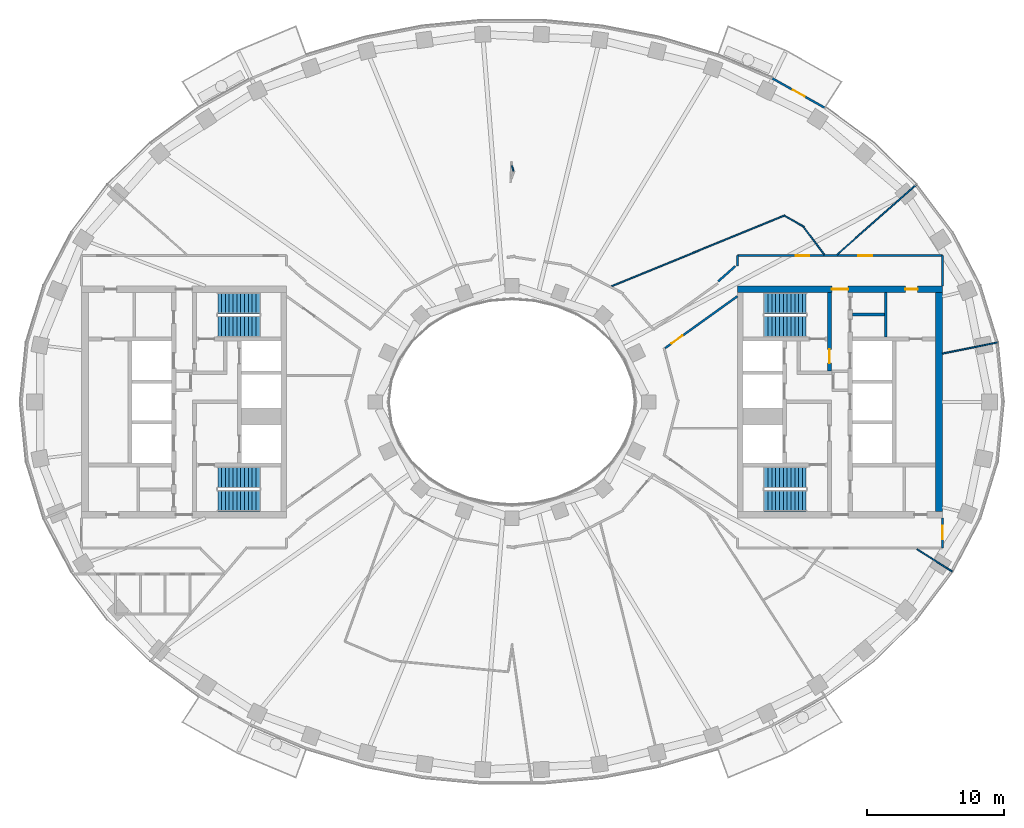
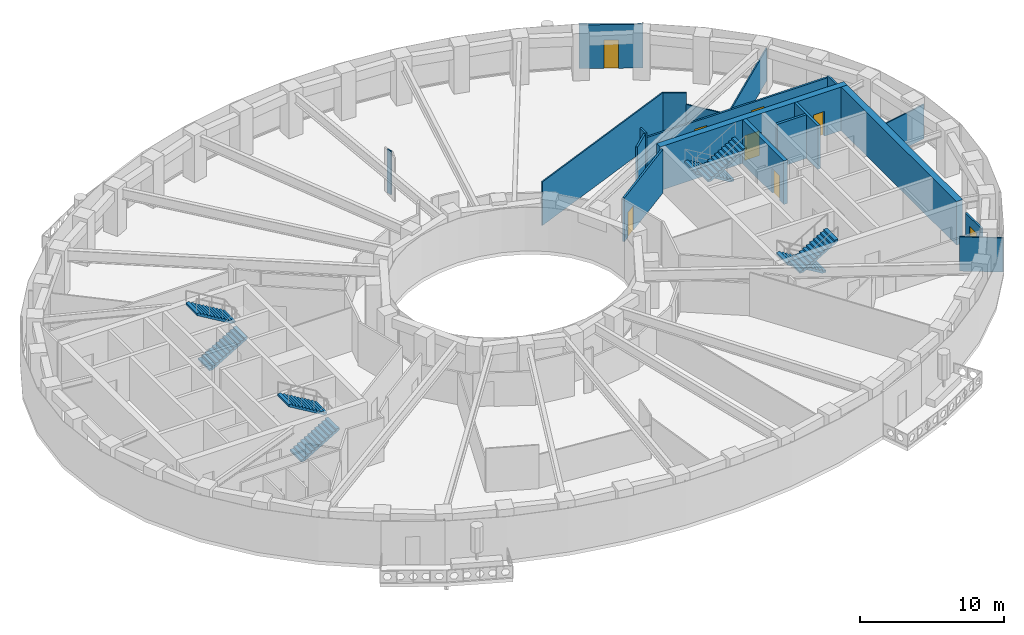
# One storey, part 7 of 15: 19 walls, 8 doors, 8 stair flights, 8 openings, 4 elements without a shape of their own.
"""IFC4 building model written with IfcOpenShell, lengths in metres."""

from ifc_helpers import new_model, si_unit, direction, frame, frame_2d, origin, place, context, subcontext, project, spatial, polyline, rectangle, outline, extrude, material, layer, layer_set, type_object, element, fill, aggregate, save


model = new_model("IFC4")

# Units and contexts
model_context = context("Model", 3, precision=1e-05, world=origin(), true_north=direction((0.0, 1.0)))
body_context = subcontext(model_context, "Body", "Model", "MODEL_VIEW")
ifc_project = project(units=[si_unit("LENGTHUNIT", "METRE"), si_unit("AREAUNIT", "SQUARE_METRE"), si_unit("VOLUMEUNIT", "CUBIC_METRE"), si_unit("PLANEANGLEUNIT", "RADIAN"), si_unit("MASSUNIT", "GRAM", prefix="KILO")], contexts=[model_context])

# Site, building, storey
site_placement = place(None, origin())
site = spatial("IfcSite", under=ifc_project, at=site_placement, CompositionType="ELEMENT")
building_placement = place(site_placement, origin())
building = spatial("IfcBuilding", under=site, at=building_placement, Name="Noorbagh Ring Tower", CompositionType="ELEMENT")
storey_placement = place(building_placement, frame((0.0, 0.0, 182.0)))
storey = spatial("IfcBuildingStorey", under=building, at=storey_placement, Name="L42", CompositionType="ELEMENT", Elevation=182.0)

# Walls
ifc_material_1 = material(Name="Gypsum board on steel studs", Category="steel")
ifc_layer_1 = layer(ifc_material_1, 0.199951171875)
ifc_layer_set_1 = layer_set([ifc_layer_1], Name="Gypsum board on steel studs")
wall_type_1 = type_object("IfcWallType", Name="CORE-PARTITION-200", PredefinedType="PARTITIONING", material=ifc_layer_set_1)
wall_1_placement = place(storey_placement, frame((27.35009765625, 4.75, 0.0), z_axis=(0.0, 0.0, 1.0), x_axis=(0.0, 1.0, 0.0)))
element("IfcWall", 1, at=wall_1_placement, inside=storey, type_object=wall_type_1, Name="Core partition E", PredefinedType="PARTITIONING", context=body_context, shape_type="SweptSolid", body=[
    extrude(rectangle(XDim=3.25, YDim=0.199951171875, at=frame_2d((1.625, 0.0))), origin(), (0.0, 0.0, 1.0), 3.699951171875),
])
wall_2_placement = place(storey_placement, frame((24.89990234375, 6.39990234375, 0.0), z_axis=(0.0, 0.0, 1.0), x_axis=(1.0, 0.0, 0.0)))
element("IfcWall", 2, at=wall_2_placement, inside=storey, type_object=wall_type_1, Name="Core partition E", PredefinedType="PARTITIONING", context=body_context, shape_type="SweptSolid", body=[
    extrude(rectangle(XDim=2.35009765625, YDim=0.199951171875, at=frame_2d((1.175048828125, 0.0))), origin(), (0.0, 0.0, 1.0), 3.699951171875),
])

# Wall, opening, door
ifc_material_2 = material(Name="Concrete C60/75", Category="concrete")
ifc_layer_2 = layer(ifc_material_2, 0.300048828125)
ifc_layer_set_2 = layer_set([ifc_layer_2], Name="Concrete C60/75")
wall_type_2 = type_object("IfcWallType", Name="CORE-WALL-300-C60-75-EI240", PredefinedType="SHEAR", material=ifc_layer_set_2)
wall_3_placement = place(storey_placement, frame((23.22998046875, 2.25, 0.0), z_axis=(0.0, 0.0, 1.0), x_axis=(0.0, 1.0, 0.0)))
wall_3 = element("IfcWall", 3, at=wall_3_placement, inside=storey, type_object=wall_type_2, Name="Core wall E", PredefinedType="SHEAR", context=body_context, shape_type="SweptSolid", body=[
    extrude(rectangle(XDim=5.75, YDim=0.300048828125, at=frame_2d((2.875, 0.0))), origin(), (0.0, 0.0, 1.0), 3.699951171875),
])
opening_1_placement = place(wall_3_placement, frame((0.60009765625, 0.0, 0.0)))
opening_1 = element("IfcOpeningElement", 4, at=opening_1_placement, cuts=wall_3, Name="Opening L42-CE10", PredefinedType="OPENING", context=body_context, shape_type="SweptSolid", body=[
    extrude(rectangle(XDim=1.0, YDim=2.10009765625, at=frame_2d((0.5, 1.050048828125))), frame((0.0, 0.16015625, 0.0), z_axis=(0.0, -1.0, 0.0), x_axis=(1.0, 0.0, 0.0)), (0.0, 0.0, 1.0), 0.320068359375),
])
ifc_material_3 = material(Name="Steel door leaf", Category="steel")
door_type_1 = type_object("IfcDoorType", Name="CORE-DOOR-DVEST", OperationType="SINGLE_SWING_LEFT", PredefinedType="DOOR", material=ifc_material_3)
door_1_placement = place(opening_1_placement, origin())
door_1 = element("IfcDoor", 5, at=door_1_placement, inside=storey, type_object=door_type_1, Name="Stair vestibule door L42-CE10", OperationType="SINGLE_SWING_RIGHT", OverallHeight=2.10009765625, OverallWidth=1.0, PredefinedType="DOOR", context=body_context, shape_type="SweptSolid", body=[
    extrude(rectangle(XDim=1.0, YDim=2.10009765625, at=frame_2d((0.5, 1.050048828125))), frame((0.0, 0.02490234375, 0.0), z_axis=(0.0, -1.0, 0.0), x_axis=(1.0, 0.0, 0.0)), (0.0, 0.0, 1.0), 0.050048828125),
])
fill(opening_1, door_1)

# Wall, openings, doors
ifc_material_4 = material(Name="Concrete C60/75", Category="concrete")
ifc_layer_3 = layer(ifc_material_4, 0.5)
ifc_layer_set_3 = layer_set([ifc_layer_3], Name="Concrete C60/75")
wall_type_3 = type_object("IfcWallType", Name="CORE-WALL-500-C60-75-EI240", PredefinedType="SHEAR", material=ifc_layer_set_3)
wall_4_placement = place(storey_placement, frame((16.5, 8.25, 0.0), z_axis=(0.0, 0.0, 1.0), x_axis=(1.0, 0.0, 0.0)))
wall_4 = element("IfcWall", 6, at=wall_4_placement, inside=storey, type_object=wall_type_3, Name="Core wall E", PredefinedType="SHEAR", context=body_context, shape_type="SweptSolid", body=[
    extrude(rectangle(XDim=15.0, YDim=0.5, at=frame_2d((7.5, 0.0))), origin(), (0.0, 0.0, 1.0), 3.699951171875),
])
opening_2_placement = place(wall_4_placement, frame((6.89990234375, 0.0, 0.0)))
opening_2 = element("IfcOpeningElement", 7, at=opening_2_placement, cuts=wall_4, Name="Opening L42-CE11", PredefinedType="OPENING", context=body_context, shape_type="SweptSolid", body=[
    extrude(rectangle(XDim=1.199951171875, YDim=2.10009765625, at=frame_2d((0.60009765625, 1.050048828125))), frame((0.0, 0.260009765625, 0.0), z_axis=(0.0, -1.0, 0.0), x_axis=(1.0, 0.0, 0.0)), (0.0, 0.0, 1.0), 0.52001953125),
])
opening_3_placement = place(wall_4_placement, frame((12.27490234375, 0.0, 0.0)))
opening_3 = element("IfcOpeningElement", 8, at=opening_3_placement, cuts=wall_4, Name="Opening L42-CE15", PredefinedType="OPENING", context=body_context, shape_type="SweptSolid", body=[
    extrude(rectangle(XDim=0.89990234375, YDim=2.10009765625, at=frame_2d((0.449951171875, 1.050048828125))), frame((0.0, 0.260009765625, 0.0), z_axis=(0.0, -1.0, 0.0), x_axis=(1.0, 0.0, 0.0)), (0.0, 0.0, 1.0), 0.52001953125),
])
ifc_material_5 = material(Name="Steel door leaf", Category="steel")
door_type_2 = type_object("IfcDoorType", Name="CORE-DOOR-DROOM", OperationType="SINGLE_SWING_LEFT", PredefinedType="DOOR", material=ifc_material_5)
door_2_placement = place(opening_3_placement, origin())
door_2 = element("IfcDoor", 9, at=door_2_placement, inside=storey, type_object=door_type_2, Name="Core room door L42-CE15", OperationType="SINGLE_SWING_LEFT", OverallHeight=2.10009765625, OverallWidth=0.89990234375, PredefinedType="DOOR", context=body_context, shape_type="SweptSolid", body=[
    extrude(rectangle(XDim=0.89990234375, YDim=2.10009765625, at=frame_2d((0.449951171875, 1.050048828125))), frame((0.0, 0.02490234375, 0.0), z_axis=(0.0, -1.0, 0.0), x_axis=(1.0, 0.0, 0.0)), (0.0, 0.0, 1.0), 0.050048828125),
])
fill(opening_3, door_2)
ifc_material_6 = material(Name="Steel door leaf", Category="steel")
door_type_3 = type_object("IfcDoorType", Name="CORE-DOOR-PORT", OperationType="DOUBLE_DOOR_DOUBLE_SWING", PredefinedType="DOOR", material=ifc_material_6)
door_3_placement = place(opening_2_placement, origin())
door_3 = element("IfcDoor", 10, at=door_3_placement, inside=storey, type_object=door_type_3, Name="Core entrance door L42-CE11", OperationType="DOUBLE_DOOR_DOUBLE_SWING", OverallHeight=2.10009765625, OverallWidth=1.199951171875, PredefinedType="DOOR", context=body_context, shape_type="SweptSolid", body=[
    extrude(rectangle(XDim=1.199951171875, YDim=2.10009765625, at=frame_2d((0.60009765625, 1.050048828125))), frame((0.0, 0.02490234375, 0.0), z_axis=(0.0, -1.0, 0.0), x_axis=(1.0, 0.0, 0.0)), (0.0, 0.0, 1.0), 0.050048828125),
])
fill(opening_2, door_3)

# Wall
wall_5_placement = place(storey_placement, frame((31.25, -8.0, 0.0), z_axis=(0.0, 0.0, 1.0), x_axis=(0.0, 1.0, 0.0)))
element("IfcWall", 11, at=wall_5_placement, inside=storey, type_object=wall_type_3, Name="Core wall E", PredefinedType="SHEAR", context=body_context, shape_type="SweptSolid", body=[
    extrude(rectangle(XDim=16.0, YDim=0.5, at=frame_2d((8.0, 0.0))), origin(), (0.0, 0.0, 1.0), 3.699951171875),
])

# Wall, opening, door
ifc_material_7 = material(Name="Gypsum board on steel studs", Category="steel")
ifc_layer_4 = layer(ifc_material_7, 0.14990234375)
ifc_layer_set_4 = layer_set([ifc_layer_4], Name="Gypsum board on steel studs")
wall_type_4 = type_object("IfcWallType", Name="CORRIDOR PARTITION 150 EI 30", PredefinedType="PARTITIONING", material=ifc_layer_set_4)
wall_6_placement = place(storey_placement, frame((11.202880859375, 3.93798828125, 0.0), z_axis=(0.0, 0.0, 1.0), x_axis=(0.812471543061, 0.583000850528, 0.0)))
wall_6 = element("IfcWall", 12, at=wall_6_placement, inside=storey, type_object=wall_type_4, Name="L42/wall/P60", PredefinedType="PARTITIONING", context=body_context, shape_type="SweptSolid", body=[
    extrude(rectangle(XDim=6.519775390625, YDim=0.14990234375, at=frame_2d((3.259765625, 0.0))), origin(), (0.0, 0.0, 1.0), 3.699951171875),
])
opening_4_placement = place(wall_6_placement, frame((0.56982421875, 0.0, 0.0)))
opening_4 = element("IfcOpeningElement", 13, at=opening_4_placement, cuts=wall_6, Name="Opening D1", PredefinedType="OPENING", context=body_context, shape_type="SweptSolid", body=[
    extrude(rectangle(XDim=1.0, YDim=2.10009765625, at=frame_2d((0.5, 1.050048828125))), frame((0.0, 0.0849609375, 0.0), z_axis=(0.0, -1.0, 0.0), x_axis=(1.0, 0.0, 0.0)), (0.0, 0.0, 1.0), 0.169921875),
])
ifc_material_8 = material(Name="Timber, painted", Category="wood")
door_type_4 = type_object("IfcDoorType", Name="DOOR 1000 X 2100 FD30", OperationType="SINGLE_SWING_LEFT", PredefinedType="DOOR", material=ifc_material_8)
door_4_placement = place(opening_4_placement, origin())
door_4 = element("IfcDoor", 14, at=door_4_placement, inside=storey, type_object=door_type_4, Name="L42-D19", OperationType="SINGLE_SWING_LEFT", OverallHeight=2.10009765625, OverallWidth=1.0, PredefinedType="DOOR", context=body_context, shape_type="SweptSolid", body=[
    extrude(rectangle(XDim=1.0, YDim=2.10009765625, at=frame_2d((0.5, 1.050048828125))), frame((0.0, 0.02490234375, 0.0), z_axis=(0.0, -1.0, 0.0), x_axis=(1.0, 0.0, 0.0)), (0.0, 0.0, 1.0), 0.050048828125),
])
fill(opening_4, door_4)

# Wall
wall_7_placement = place(storey_placement, frame((16.5, 9.964111328125, 0.0), z_axis=(0.0, 0.0, 1.0), x_axis=(0.0, 1.0, 0.0)))
element("IfcWall", 15, at=wall_7_placement, inside=storey, type_object=wall_type_4, Name="L42/wall/P65", PredefinedType="PARTITIONING", context=body_context, shape_type="SweptSolid", body=[
    extrude(rectangle(XDim=0.73583984375, YDim=0.14990234375, at=frame_2d((0.367919921875, 0.0))), origin(), (0.0, 0.0, 1.0), 3.699951171875),
])

# Wall, openings, doors
wall_8_placement = place(storey_placement, frame((16.5, 10.699951171875, 0.0), z_axis=(0.0, 0.0, 1.0), x_axis=(1.0, 0.0, 0.0)))
wall_8 = element("IfcWall", 16, at=wall_8_placement, inside=storey, type_object=wall_type_4, Name="L42/wall/P66", PredefinedType="PARTITIONING", context=body_context, shape_type="SweptSolid", body=[
    extrude(rectangle(XDim=15.0, YDim=0.14990234375, at=frame_2d((7.5, 0.0))), origin(), (0.0, 0.0, 1.0), 2.75),
])
opening_5_placement = place(wall_8_placement, frame((4.26708984375, 0.0, 0.0)))
opening_5 = element("IfcOpeningElement", 17, at=opening_5_placement, cuts=wall_8, Name="Opening D1", PredefinedType="OPENING", context=body_context, shape_type="SweptSolid", body=[
    extrude(rectangle(XDim=1.0, YDim=2.10009765625, at=frame_2d((0.5, 1.050048828125))), frame((0.0, 0.0849609375, 0.0), z_axis=(0.0, -1.0, 0.0), x_axis=(1.0, 0.0, 0.0)), (0.0, 0.0, 1.0), 0.169921875),
])
opening_6_placement = place(wall_8_placement, frame((8.85009765625, 0.0, 0.0)))
opening_6 = element("IfcOpeningElement", 18, at=opening_6_placement, cuts=wall_8, Name="Opening D1", PredefinedType="OPENING", context=body_context, shape_type="SweptSolid", body=[
    extrude(rectangle(XDim=1.0, YDim=2.10009765625, at=frame_2d((0.5, 1.050048828125))), frame((0.0, 0.0849609375, 0.0), z_axis=(0.0, -1.0, 0.0), x_axis=(1.0, 0.0, 0.0)), (0.0, 0.0, 1.0), 0.169921875),
])
door_5_placement = place(opening_5_placement, origin())
door_5 = element("IfcDoor", 19, at=door_5_placement, inside=storey, type_object=door_type_4, Name="L42-D11", OperationType="SINGLE_SWING_LEFT", OverallHeight=2.10009765625, OverallWidth=1.0, PredefinedType="DOOR", context=body_context, shape_type="SweptSolid", body=[
    extrude(rectangle(XDim=1.0, YDim=2.10009765625, at=frame_2d((0.5, 1.050048828125))), frame((0.0, 0.02490234375, 0.0), z_axis=(0.0, -1.0, 0.0), x_axis=(1.0, 0.0, 0.0)), (0.0, 0.0, 1.0), 0.050048828125),
])
fill(opening_5, door_5)
door_6_placement = place(opening_6_placement, origin())
door_6 = element("IfcDoor", 20, at=door_6_placement, inside=storey, type_object=door_type_4, Name="L42-D14", OperationType="SINGLE_SWING_RIGHT", OverallHeight=2.10009765625, OverallWidth=1.0, PredefinedType="DOOR", context=body_context, shape_type="SweptSolid", body=[
    extrude(rectangle(XDim=1.0, YDim=2.10009765625, at=frame_2d((0.5, 1.050048828125))), frame((0.0, 0.02490234375, 0.0), z_axis=(0.0, -1.0, 0.0), x_axis=(1.0, 0.0, 0.0)), (0.0, 0.0, 1.0), 0.050048828125),
])
fill(opening_6, door_6)

# Wall, opening, door
wall_9_placement = place(storey_placement, frame((31.5, -10.699951171875, 0.0), z_axis=(0.0, 0.0, 1.0), x_axis=(0.0, 1.0, 0.0)))
wall_9 = element("IfcWall", 21, at=wall_9_placement, inside=storey, type_object=wall_type_4, Name="L42/wall/P73", PredefinedType="PARTITIONING", context=body_context, shape_type="SweptSolid", body=[
    extrude(rectangle(XDim=2.199951171875, YDim=0.14990234375, at=frame_2d((1.10009765625, 0.0))), origin(), (0.0, 0.0, 1.0), 2.89990234375),
])
opening_7_placement = place(wall_9_placement, frame((0.64990234375, 0.0, 0.0)))
opening_7 = element("IfcOpeningElement", 22, at=opening_7_placement, cuts=wall_9, Name="Opening D1", PredefinedType="OPENING", context=body_context, shape_type="SweptSolid", body=[
    extrude(rectangle(XDim=1.0, YDim=2.10009765625, at=frame_2d((0.5, 1.050048828125))), frame((0.0, 0.0849609375, 0.0), z_axis=(0.0, -1.0, 0.0), x_axis=(1.0, 0.0, 0.0)), (0.0, 0.0, 1.0), 0.169921875),
])
door_7_placement = place(opening_7_placement, origin())
door_7 = element("IfcDoor", 23, at=door_7_placement, inside=storey, type_object=door_type_4, Name="L42-D15", OperationType="SINGLE_SWING_LEFT", OverallHeight=2.10009765625, OverallWidth=1.0, PredefinedType="DOOR", context=body_context, shape_type="SweptSolid", body=[
    extrude(rectangle(XDim=1.0, YDim=2.10009765625, at=frame_2d((0.5, 1.050048828125))), frame((0.0, 0.02490234375, 0.0), z_axis=(0.0, -1.0, 0.0), x_axis=(1.0, 0.0, 0.0)), (0.0, 0.0, 1.0), 0.050048828125),
])
fill(opening_7, door_7)

# Walls
wall_10_placement = place(storey_placement, frame((31.5, 8.5, 0.0), z_axis=(0.0, 0.0, 1.0), x_axis=(0.0, 1.0, 0.0)))
element("IfcWall", 24, at=wall_10_placement, inside=storey, type_object=wall_type_4, Name="L42/wall/P75", PredefinedType="PARTITIONING", context=body_context, shape_type="SweptSolid", body=[
    extrude(rectangle(XDim=2.199951171875, YDim=0.14990234375, at=frame_2d((1.10009765625, 0.0))), origin(), (0.0, 0.0, 1.0), 2.89990234375),
])
wall_11_placement = place(storey_placement, frame((15.087890625, 8.823974609375, 0.0), z_axis=(0.0, 0.0, 1.0), x_axis=(0.749107006374, 0.662449011624, 0.0)))
element("IfcWall", 25, at=wall_11_placement, inside=storey, type_object=wall_type_4, Name="L42/wall/P79", PredefinedType="PARTITIONING", context=body_context, shape_type="SweptSolid", body=[
    extrude(rectangle(XDim=1.6875, YDim=0.14990234375, at=frame_2d((0.84375, 0.0))), origin(), (0.0, 0.0, 1.0), 3.699951171875),
])

# Wall, opening, door
ifc_material_9 = material(Name="Insulated aluminium clad panel", Category="aluminium")
ifc_layer_5 = layer(ifc_material_9, 0.14990234375)
ifc_layer_set_5 = layer_set([ifc_layer_5], Name="Insulated aluminium clad panel")
wall_type_5 = type_object("IfcWallType", Name="ENV-WALL-DOOR", PredefinedType="STANDARD", material=ifc_layer_set_5)
wall_12_placement = place(storey_placement, frame((22.913330078125, 21.508544921875, 0.0), z_axis=(0.0, 0.0, 1.0), x_axis=(-0.872046572975, 0.489422899509, 0.0)))
wall_12 = element("IfcWall", 26, at=wall_12_placement, inside=storey, type_object=wall_type_5, Name="Balcony door wall chord 07", PredefinedType="STANDARD", context=body_context, shape_type="SweptSolid", body=[
    extrude(rectangle(XDim=4.425537109375, YDim=0.14990234375, at=frame_2d((2.212890625, 0.0))), origin(), (0.0, 0.0, 1.0), 3.699951171875),
])
opening_8_placement = place(wall_12_placement, frame((1.712646484375, 0.0, 0.0)))
opening_8 = element("IfcOpeningElement", 27, at=opening_8_placement, cuts=wall_12, Name="Opening D-BL", PredefinedType="OPENING", context=body_context, shape_type="SweptSolid", body=[
    extrude(rectangle(XDim=1.0, YDim=2.39990234375, at=frame_2d((0.5, 1.199951171875))), frame((0.0, 0.0849609375, 0.0), z_axis=(0.0, -1.0, 0.0), x_axis=(1.0, 0.0, 0.0)), (0.0, 0.0, 1.0), 0.169921875),
])
ifc_material_10 = material(Name="Aluminium and glass", Category="aluminium")
door_type_5 = type_object("IfcDoorType", Name="ENV-DOOR-BALCONY", OperationType="SINGLE_SWING_LEFT", PredefinedType="DOOR", material=ifc_material_10)
door_8_placement = place(opening_8_placement, origin())
door_8 = element("IfcDoor", 28, at=door_8_placement, inside=storey, type_object=door_type_5, Name="Balcony door chord 07", OperationType="SINGLE_SWING_LEFT", OverallHeight=2.39990234375, OverallWidth=1.0, PredefinedType="DOOR", context=body_context, shape_type="SweptSolid", body=[
    extrude(rectangle(XDim=1.0, YDim=2.39990234375, at=frame_2d((0.5, 1.199951171875))), frame((0.0, 0.02490234375, 0.0), z_axis=(0.0, -1.0, 0.0), x_axis=(1.0, 0.0, 0.0)), (0.0, 0.0, 1.0), 0.050048828125),
])
fill(opening_8, door_8)

# Walls
ifc_material_11 = material(Name="Gypsum board on steel studs", Category="steel")
ifc_layer_6 = layer(ifc_material_11, 0.10009765625)
ifc_layer_set_6 = layer_set([ifc_layer_6], Name="Gypsum board on steel studs")
wall_type_6 = type_object("IfcWallType", Name="PARTITION 100 GYPSUM", PredefinedType="PARTITIONING", material=ifc_layer_set_6)
wall_13_placement = place(storey_placement, frame((0.001953125, 17.283935546875, 0.0), z_axis=(0.0, 0.0, 1.0), x_axis=(0.240121592304, -0.970742819139, 0.0)))
element("IfcWall", 29, at=wall_13_placement, inside=storey, type_object=wall_type_6, Name="L42/wall/P43", PredefinedType="PARTITIONING", context=body_context, shape_type="SweptSolid", body=[
    extrude(rectangle(XDim=0.404541015625, YDim=0.10009765625, at=frame_2d((0.2021484375, 0.0))), origin(), (0.0, 0.0, 1.0), 3.699951171875),
])
wall_14_placement = place(storey_placement, frame((7.282958984375, 8.464111328125, 0.0), z_axis=(0.0, 0.0, 1.0), x_axis=(0.925447652154, 0.378875498182, 0.0)))
element("IfcWall", 30, at=wall_14_placement, inside=storey, type_object=wall_type_6, Name="L42/wall/P52", PredefinedType="PARTITIONING", context=body_context, shape_type="SweptSolid", body=[
    extrude(rectangle(XDim=13.711181640625, YDim=0.10009765625, at=frame_2d((6.85546875, 0.0))), origin(), (0.0, 0.0, 1.0), 3.699951171875),
])
wall_15_placement = place(storey_placement, frame((19.968994140625, 13.60400390625, 0.0), z_axis=(0.0, 0.0, 1.0), x_axis=(0.870822239997, -0.491598033281, 0.0)))
element("IfcWall", 31, at=wall_15_placement, inside=storey, type_object=wall_type_6, Name="L42/wall/P68", PredefinedType="PARTITIONING", context=body_context, shape_type="SweptSolid", body=[
    extrude(rectangle(XDim=1.62939453125, YDim=0.10009765625, at=frame_2d((0.814697265625, 0.0))), origin(), (0.0, 0.0, 1.0), 3.699951171875),
])
wall_16_placement = place(storey_placement, frame((21.35498046875, 12.764892578125, 0.0), z_axis=(0.0, 0.0, 1.0), x_axis=(0.603287715996, -0.797523624558, 0.0)))
element("IfcWall", 32, at=wall_16_placement, inside=storey, type_object=wall_type_6, Name="L42/wall/P70", PredefinedType="PARTITIONING", context=body_context, shape_type="SweptSolid", body=[
    extrude(rectangle(XDim=2.4912109375, YDim=0.10009765625, at=frame_2d((1.24560546875, 0.0))), origin(), (0.0, 0.0, 1.0), 2.75),
])
wall_17_placement = place(storey_placement, frame((23.784912109375, 10.778076171875, 0.0), z_axis=(0.0, 0.0, 1.0), x_axis=(0.748985701008, 0.662586160198, 0.0)))
element("IfcWall", 33, at=wall_17_placement, inside=storey, type_object=wall_type_6, Name="L42/wall/P71", PredefinedType="PARTITIONING", context=body_context, shape_type="SweptSolid", body=[
    extrude(rectangle(XDim=7.72265625, YDim=0.10009765625, at=frame_2d((3.861328125, 0.0))), origin(), (0.0, 0.0, 1.0), 2.75),
])
wall_18_placement = place(storey_placement, frame((29.636962890625, -10.777099609375, 0.0), z_axis=(0.0, 0.0, 1.0), x_axis=(0.844810627195, -0.535065420467, 0.0)))
element("IfcWall", 34, at=wall_18_placement, inside=storey, type_object=wall_type_6, Name="L42/wall/P72", PredefinedType="PARTITIONING", context=body_context, shape_type="SweptSolid", body=[
    extrude(rectangle(XDim=3.0478515625, YDim=0.10009765625, at=frame_2d((1.52392578125, 0.0))), origin(), (0.0, 0.0, 1.0), 2.89990234375),
])
wall_19_placement = place(storey_placement, frame((31.5, 3.5419921875, 0.0), z_axis=(0.0, 0.0, 1.0), x_axis=(0.980357474535, 0.197228857227, 0.0)))
element("IfcWall", 35, at=wall_19_placement, inside=storey, type_object=wall_type_6, Name="L42/wall/P74", PredefinedType="PARTITIONING", context=body_context, shape_type="SweptSolid", body=[
    extrude(rectangle(XDim=4.09228515625, YDim=0.10009765625, at=frame_2d((2.046142578125, 0.0))), origin(), (0.0, 0.0, 1.0), 2.89990234375),
])

# Stair, stair flights
ifc_material_12 = material(Name="Concrete C40/50", Category="concrete")
stair_type = type_object("IfcStairType", Name="CORE-STAIR", PredefinedType="HALF_TURN_STAIR", material=ifc_material_12)
stair_1_placement = place(storey_placement, origin())
stair_1 = element("IfcStair", 36, at=stair_1_placement, inside=storey, type_object=stair_type, Name="L42 Exit stair ST1", PredefinedType="HALF_TURN_STAIR")
ifc_material_13 = material(Name="Concrete C40/50", Category="concrete")
stair_flight_type = type_object("IfcStairFlightType", Name="CORE-STAIR-FLIGHT", PredefinedType="STRAIGHT", material=ifc_material_13)
stair_flight_1_placement = place(storey_placement, frame((-21.530029296875, 5.52490234375, 0.0), z_axis=(0.0, 0.0, 1.0), x_axis=(1.0, 0.0, 0.0)))
stair_flight_1 = element("IfcStairFlight", 37, at=stair_flight_1_placement, type_object=stair_flight_type, Name="ST1 flight 1", NumberOfRisers=12, NumberOfTreads=11, PredefinedType="STRAIGHT", RiserHeight=0.166666667, TreadLength=0.28, context=body_context, shape_type="SweptSolid", body=[
    extrude(outline(polyline([(0.0, 0.0), (0.0, 0.166748046875), (0.280029296875, 0.166748046875), (0.280029296875, 0.333251953125), (0.56005859375, 0.333251953125), (0.56005859375, 0.5), (0.840087890625, 0.5), (0.840087890625, 0.666748046875), (1.1201171875, 0.666748046875), (1.1201171875, 0.833251953125), (1.39990234375, 0.833251953125), (1.39990234375, 1.0), (1.679931640625, 1.0), (1.679931640625, 1.166748046875), (1.9599609375, 1.166748046875), (1.9599609375, 1.333251953125), (2.239990234375, 1.333251953125), (2.239990234375, 1.5), (2.52001953125, 1.5), (2.52001953125, 1.666748046875), (2.800048828125, 1.666748046875), (2.800048828125, 1.833251953125), (3.080078125, 1.833251953125), (3.080078125, 2.0), (3.080078125, 1.658935546875), (0.29296875, 0.0), (0.0, 0.0)])), frame((0.0, 0.77490234375, 0.0), z_axis=(0.0, -1.0, 0.0), x_axis=(1.0, 0.0, 0.0)), (0.0, 0.0, 1.0), 1.550048828125),
])
stair_flight_2_placement = place(storey_placement, frame((-18.449951171875, 7.22509765625, 2.0), z_axis=(0.0, 0.0, 1.0), x_axis=(-1.0, 0.0, 0.0)))
stair_flight_2 = element("IfcStairFlight", 38, at=stair_flight_2_placement, type_object=stair_flight_type, Name="ST1 flight 2", NumberOfRisers=12, NumberOfTreads=11, PredefinedType="STRAIGHT", RiserHeight=0.166666667, TreadLength=0.28, context=body_context, shape_type="SweptSolid", body=[
    extrude(outline(polyline([(0.0, 0.0), (0.0, 0.166748046875), (0.280029296875, 0.166748046875), (0.280029296875, 0.333251953125), (0.56005859375, 0.333251953125), (0.56005859375, 0.5), (0.840087890625, 0.5), (0.840087890625, 0.666748046875), (1.1201171875, 0.666748046875), (1.1201171875, 0.833251953125), (1.39990234375, 0.833251953125), (1.39990234375, 1.0), (1.679931640625, 1.0), (1.679931640625, 1.166748046875), (1.9599609375, 1.166748046875), (1.9599609375, 1.333251953125), (2.239990234375, 1.333251953125), (2.239990234375, 1.5), (2.52001953125, 1.5), (2.52001953125, 1.666748046875), (2.800048828125, 1.666748046875), (2.800048828125, 1.833251953125), (3.080078125, 1.833251953125), (3.080078125, 2.0), (3.080078125, 1.658935546875), (0.29296875, 0.0), (0.0, 0.0)])), frame((0.0, 0.77490234375, 0.0), z_axis=(0.0, -1.0, 0.0), x_axis=(1.0, 0.0, 0.0)), (0.0, 0.0, 1.0), 1.550048828125),
])
aggregate(stair_1, [stair_flight_1, stair_flight_2])

stair_2_placement = place(storey_placement, origin())
stair_2 = element("IfcStair", 39, at=stair_2_placement, inside=storey, type_object=stair_type, Name="L42 Exit stair ST2", PredefinedType="HALF_TURN_STAIR")
stair_flight_3_placement = place(storey_placement, frame((-21.530029296875, -7.22509765625, 0.0), z_axis=(0.0, 0.0, 1.0), x_axis=(1.0, 0.0, 0.0)))
stair_flight_3 = element("IfcStairFlight", 40, at=stair_flight_3_placement, type_object=stair_flight_type, Name="ST2 flight 1", NumberOfRisers=12, NumberOfTreads=11, PredefinedType="STRAIGHT", RiserHeight=0.166666667, TreadLength=0.28, context=body_context, shape_type="SweptSolid", body=[
    extrude(outline(polyline([(0.0, 0.0), (0.0, 0.166748046875), (0.280029296875, 0.166748046875), (0.280029296875, 0.333251953125), (0.56005859375, 0.333251953125), (0.56005859375, 0.5), (0.840087890625, 0.5), (0.840087890625, 0.666748046875), (1.1201171875, 0.666748046875), (1.1201171875, 0.833251953125), (1.39990234375, 0.833251953125), (1.39990234375, 1.0), (1.679931640625, 1.0), (1.679931640625, 1.166748046875), (1.9599609375, 1.166748046875), (1.9599609375, 1.333251953125), (2.239990234375, 1.333251953125), (2.239990234375, 1.5), (2.52001953125, 1.5), (2.52001953125, 1.666748046875), (2.800048828125, 1.666748046875), (2.800048828125, 1.833251953125), (3.080078125, 1.833251953125), (3.080078125, 2.0), (3.080078125, 1.658935546875), (0.29296875, 0.0), (0.0, 0.0)])), frame((0.0, 0.77490234375, 0.0), z_axis=(0.0, -1.0, 0.0), x_axis=(1.0, 0.0, 0.0)), (0.0, 0.0, 1.0), 1.550048828125),
])
stair_flight_4_placement = place(storey_placement, frame((-18.449951171875, -5.52490234375, 2.0), z_axis=(0.0, 0.0, 1.0), x_axis=(-1.0, 0.0, 0.0)))
stair_flight_4 = element("IfcStairFlight", 41, at=stair_flight_4_placement, type_object=stair_flight_type, Name="ST2 flight 2", NumberOfRisers=12, NumberOfTreads=11, PredefinedType="STRAIGHT", RiserHeight=0.166666667, TreadLength=0.28, context=body_context, shape_type="SweptSolid", body=[
    extrude(outline(polyline([(0.0, 0.0), (0.0, 0.166748046875), (0.280029296875, 0.166748046875), (0.280029296875, 0.333251953125), (0.56005859375, 0.333251953125), (0.56005859375, 0.5), (0.840087890625, 0.5), (0.840087890625, 0.666748046875), (1.1201171875, 0.666748046875), (1.1201171875, 0.833251953125), (1.39990234375, 0.833251953125), (1.39990234375, 1.0), (1.679931640625, 1.0), (1.679931640625, 1.166748046875), (1.9599609375, 1.166748046875), (1.9599609375, 1.333251953125), (2.239990234375, 1.333251953125), (2.239990234375, 1.5), (2.52001953125, 1.5), (2.52001953125, 1.666748046875), (2.800048828125, 1.666748046875), (2.800048828125, 1.833251953125), (3.080078125, 1.833251953125), (3.080078125, 2.0), (3.080078125, 1.658935546875), (0.29296875, 0.0), (0.0, 0.0)])), frame((0.0, 0.77490234375, 0.0), z_axis=(0.0, -1.0, 0.0), x_axis=(1.0, 0.0, 0.0)), (0.0, 0.0, 1.0), 1.550048828125),
])
aggregate(stair_2, [stair_flight_3, stair_flight_4])

stair_3_placement = place(storey_placement, origin())
stair_3 = element("IfcStair", 42, at=stair_3_placement, inside=storey, type_object=stair_type, Name="L42 Exit stair ST3", PredefinedType="HALF_TURN_STAIR")
stair_flight_5_placement = place(storey_placement, frame((21.530029296875, 7.22509765625, 0.0), z_axis=(0.0, 0.0, 1.0), x_axis=(-1.0, 0.0, 0.0)))
stair_flight_5 = element("IfcStairFlight", 43, at=stair_flight_5_placement, type_object=stair_flight_type, Name="ST3 flight 1", NumberOfRisers=12, NumberOfTreads=11, PredefinedType="STRAIGHT", RiserHeight=0.166666667, TreadLength=0.28, context=body_context, shape_type="SweptSolid", body=[
    extrude(outline(polyline([(0.0, 0.0), (0.0, 0.166748046875), (0.280029296875, 0.166748046875), (0.280029296875, 0.333251953125), (0.56005859375, 0.333251953125), (0.56005859375, 0.5), (0.840087890625, 0.5), (0.840087890625, 0.666748046875), (1.1201171875, 0.666748046875), (1.1201171875, 0.833251953125), (1.39990234375, 0.833251953125), (1.39990234375, 1.0), (1.679931640625, 1.0), (1.679931640625, 1.166748046875), (1.9599609375, 1.166748046875), (1.9599609375, 1.333251953125), (2.239990234375, 1.333251953125), (2.239990234375, 1.5), (2.52001953125, 1.5), (2.52001953125, 1.666748046875), (2.800048828125, 1.666748046875), (2.800048828125, 1.833251953125), (3.080078125, 1.833251953125), (3.080078125, 2.0), (3.080078125, 1.658935546875), (0.29296875, 0.0), (0.0, 0.0)])), frame((0.0, 0.77490234375, 0.0), z_axis=(0.0, -1.0, 0.0), x_axis=(1.0, 0.0, 0.0)), (0.0, 0.0, 1.0), 1.550048828125),
])
stair_flight_6_placement = place(storey_placement, frame((18.449951171875, 5.52490234375, 2.0), z_axis=(0.0, 0.0, 1.0), x_axis=(1.0, 0.0, 0.0)))
stair_flight_6 = element("IfcStairFlight", 44, at=stair_flight_6_placement, type_object=stair_flight_type, Name="ST3 flight 2", NumberOfRisers=12, NumberOfTreads=11, PredefinedType="STRAIGHT", RiserHeight=0.166666667, TreadLength=0.28, context=body_context, shape_type="SweptSolid", body=[
    extrude(outline(polyline([(0.0, 0.0), (0.0, 0.166748046875), (0.280029296875, 0.166748046875), (0.280029296875, 0.333251953125), (0.56005859375, 0.333251953125), (0.56005859375, 0.5), (0.840087890625, 0.5), (0.840087890625, 0.666748046875), (1.1201171875, 0.666748046875), (1.1201171875, 0.833251953125), (1.39990234375, 0.833251953125), (1.39990234375, 1.0), (1.679931640625, 1.0), (1.679931640625, 1.166748046875), (1.9599609375, 1.166748046875), (1.9599609375, 1.333251953125), (2.239990234375, 1.333251953125), (2.239990234375, 1.5), (2.52001953125, 1.5), (2.52001953125, 1.666748046875), (2.800048828125, 1.666748046875), (2.800048828125, 1.833251953125), (3.080078125, 1.833251953125), (3.080078125, 2.0), (3.080078125, 1.658935546875), (0.29296875, 0.0), (0.0, 0.0)])), frame((0.0, 0.77490234375, 0.0), z_axis=(0.0, -1.0, 0.0), x_axis=(1.0, 0.0, 0.0)), (0.0, 0.0, 1.0), 1.550048828125),
])
aggregate(stair_3, [stair_flight_5, stair_flight_6])

stair_4_placement = place(storey_placement, origin())
stair_4 = element("IfcStair", 45, at=stair_4_placement, inside=storey, type_object=stair_type, Name="L42 Exit stair ST4", PredefinedType="HALF_TURN_STAIR")
stair_flight_7_placement = place(storey_placement, frame((21.530029296875, -5.52490234375, 0.0), z_axis=(0.0, 0.0, 1.0), x_axis=(-1.0, 0.0, 0.0)))
stair_flight_7 = element("IfcStairFlight", 46, at=stair_flight_7_placement, type_object=stair_flight_type, Name="ST4 flight 1", NumberOfRisers=12, NumberOfTreads=11, PredefinedType="STRAIGHT", RiserHeight=0.166666667, TreadLength=0.28, context=body_context, shape_type="SweptSolid", body=[
    extrude(outline(polyline([(0.0, 0.0), (0.0, 0.166748046875), (0.280029296875, 0.166748046875), (0.280029296875, 0.333251953125), (0.56005859375, 0.333251953125), (0.56005859375, 0.5), (0.840087890625, 0.5), (0.840087890625, 0.666748046875), (1.1201171875, 0.666748046875), (1.1201171875, 0.833251953125), (1.39990234375, 0.833251953125), (1.39990234375, 1.0), (1.679931640625, 1.0), (1.679931640625, 1.166748046875), (1.9599609375, 1.166748046875), (1.9599609375, 1.333251953125), (2.239990234375, 1.333251953125), (2.239990234375, 1.5), (2.52001953125, 1.5), (2.52001953125, 1.666748046875), (2.800048828125, 1.666748046875), (2.800048828125, 1.833251953125), (3.080078125, 1.833251953125), (3.080078125, 2.0), (3.080078125, 1.658935546875), (0.29296875, 0.0), (0.0, 0.0)])), frame((0.0, 0.77490234375, 0.0), z_axis=(0.0, -1.0, 0.0), x_axis=(1.0, 0.0, 0.0)), (0.0, 0.0, 1.0), 1.550048828125),
])
stair_flight_8_placement = place(storey_placement, frame((18.449951171875, -7.22509765625, 2.0), z_axis=(0.0, 0.0, 1.0), x_axis=(1.0, 0.0, 0.0)))
stair_flight_8 = element("IfcStairFlight", 47, at=stair_flight_8_placement, type_object=stair_flight_type, Name="ST4 flight 2", NumberOfRisers=12, NumberOfTreads=11, PredefinedType="STRAIGHT", RiserHeight=0.166666667, TreadLength=0.28, context=body_context, shape_type="SweptSolid", body=[
    extrude(outline(polyline([(0.0, 0.0), (0.0, 0.166748046875), (0.280029296875, 0.166748046875), (0.280029296875, 0.333251953125), (0.56005859375, 0.333251953125), (0.56005859375, 0.5), (0.840087890625, 0.5), (0.840087890625, 0.666748046875), (1.1201171875, 0.666748046875), (1.1201171875, 0.833251953125), (1.39990234375, 0.833251953125), (1.39990234375, 1.0), (1.679931640625, 1.0), (1.679931640625, 1.166748046875), (1.9599609375, 1.166748046875), (1.9599609375, 1.333251953125), (2.239990234375, 1.333251953125), (2.239990234375, 1.5), (2.52001953125, 1.5), (2.52001953125, 1.666748046875), (2.800048828125, 1.666748046875), (2.800048828125, 1.833251953125), (3.080078125, 1.833251953125), (3.080078125, 2.0), (3.080078125, 1.658935546875), (0.29296875, 0.0), (0.0, 0.0)])), frame((0.0, 0.77490234375, 0.0), z_axis=(0.0, -1.0, 0.0), x_axis=(1.0, 0.0, 0.0)), (0.0, 0.0, 1.0), 1.550048828125),
])
aggregate(stair_4, [stair_flight_7, stair_flight_8])

save(model, "model.ifc")
